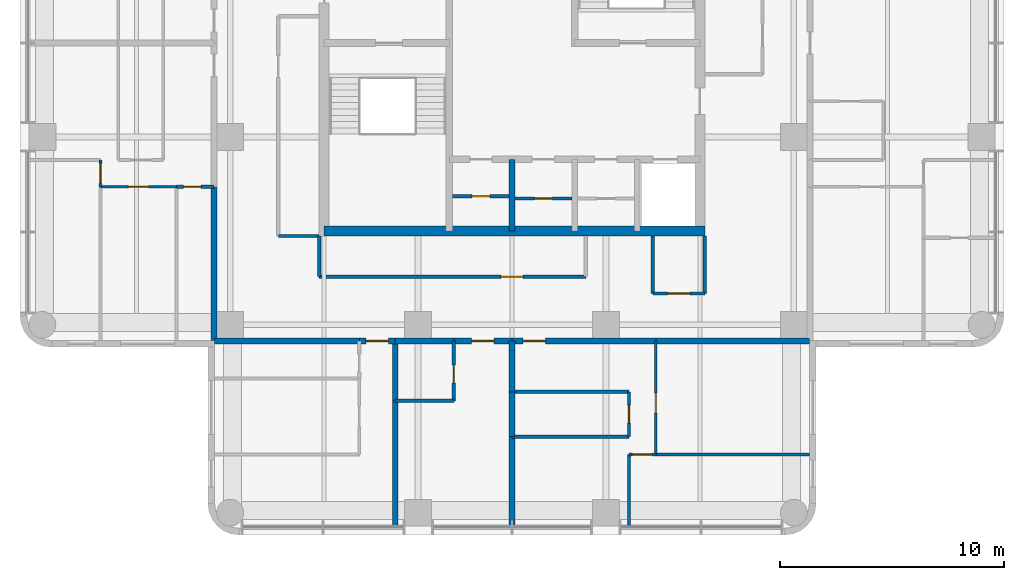
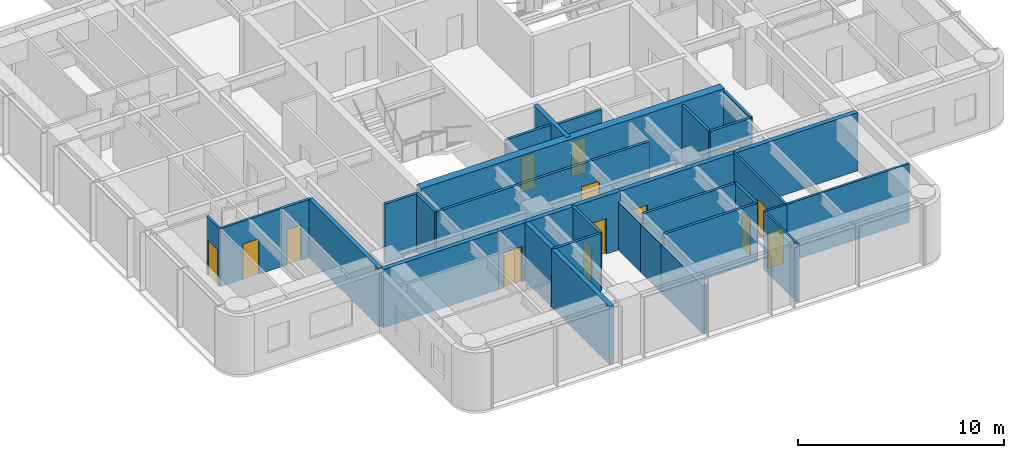
# One storey, part 4 of 10: 34 walls, 14 doors, 14 openings.
"""IFC4 building model written with IfcOpenShell, lengths in metres."""

from ifc_helpers import new_model, si_unit, direction, frame, frame_2d, origin, place, context, subcontext, project, spatial, rectangle, extrude, material, layer, layer_set, type_object, element, fill, save


model = new_model("IFC4")

# Units and contexts
model_context = context("Model", 3, precision=1e-05, world=origin(), true_north=direction((0.0, 1.0)))
body_context = subcontext(model_context, "Body", "Model", "MODEL_VIEW")
ifc_project = project(units=[si_unit("LENGTHUNIT", "METRE"), si_unit("AREAUNIT", "SQUARE_METRE"), si_unit("VOLUMEUNIT", "CUBIC_METRE"), si_unit("PLANEANGLEUNIT", "RADIAN"), si_unit("MASSUNIT", "GRAM", prefix="KILO")], contexts=[model_context])

# Site, building, storey
site_placement = place(None, origin())
site = spatial("IfcSite", under=ifc_project, at=site_placement, CompositionType="ELEMENT")
building_placement = place(site_placement, origin())
building = spatial("IfcBuilding", under=site, at=building_placement, Name="Torre Alcanfor", CompositionType="ELEMENT")
storey_placement = place(building_placement, frame((0.0, 0.0, 264.89990234375)))
storey = spatial("IfcBuildingStorey", under=building, at=storey_placement, Name="L69", CompositionType="ELEMENT", Elevation=264.89990234375)

# Wall, opening, door
ifc_material_1 = material(Name="Concrete block masonry, hollow blocks NMX-C-404 9 MPa", Category="masonry")
ifc_layer_1 = layer(ifc_material_1, 0.25)
ifc_layer_set_1 = layer_set([ifc_layer_1], Name="Apartment entrance wall 250 EI 60")
wall_type_1 = type_object("IfcWallType", Name="Apartment entrance wall 250 EI 60", PredefinedType="PARTITIONING", material=ifc_layer_set_1)
wall_1_placement = place(storey_placement, frame((35.8291015625, 16.074951171875, 0.0), z_axis=(0.0, 0.0, 1.0), x_axis=(-1.0, 0.0, 0.0)))
wall_1 = element("IfcWall", 1, at=wall_1_placement, inside=storey, type_object=wall_type_1, Name="Partition L69-CORR / L69-S1-LIVING", PredefinedType="PARTITIONING", context=body_context, shape_type="SweptSolid", body=[
    extrude(rectangle(XDim=6.42919921875, YDim=0.25, at=frame_2d((3.214599609375, 0.0))), origin(), (0.0, 0.0, 1.0), 3.4501953125),
])
opening_1_placement = place(wall_1_placement, frame((4.928955078125, 0.0, 0.0)))
opening_1 = element("IfcOpeningElement", 2, at=opening_1_placement, cuts=wall_1, Name="Opening D-A1", PredefinedType="OPENING", context=body_context, shape_type="SweptSolid", body=[
    extrude(rectangle(XDim=1.0, YDim=2.10009765625, at=frame_2d((0.5, 1.050048828125))), frame((0.0, 0.135009765625, 0.0), z_axis=(0.0, -1.0, 0.0), x_axis=(1.0, 0.0, 0.0)), (0.0, 0.0, 1.0), 0.27001953125),
])
ifc_material_2 = material(Name="Galvanised steel sheet ASTM A653", Category="steel")
door_type_1 = type_object("IfcDoorType", Name="Apartment entrance door FD60 1000x2100", OperationType="SINGLE_SWING_LEFT", PredefinedType="DOOR", material=ifc_material_2)
door_1_placement = place(opening_1_placement, origin())
door_1 = element("IfcDoor", 3, at=door_1_placement, inside=storey, type_object=door_type_1, Name="Apartment entrance L69-S1", OperationType="SINGLE_SWING_RIGHT", OverallHeight=2.10009765625, OverallWidth=1.0, PredefinedType="DOOR", context=body_context, shape_type="SweptSolid", body=[
    extrude(rectangle(XDim=1.0, YDim=2.10009765625, at=frame_2d((0.5, 1.050048828125))), frame((0.0, 0.02490234375, 0.0), z_axis=(0.0, -1.0, 0.0), x_axis=(1.0, 0.0, 0.0)), (0.0, 0.0, 1.0), 0.050048828125),
])
fill(opening_1, door_1)

# Wall
wall_2_placement = place(storey_placement, frame((42.699951171875, 16.074951171875, 0.0), z_axis=(0.0, 0.0, 1.0), x_axis=(-1.0, 0.0, 0.0)))
element("IfcWall", 4, at=wall_2_placement, inside=storey, type_object=wall_type_1, Name="Partition L69-CORR / L69-S1-BED2", PredefinedType="PARTITIONING", context=body_context, shape_type="SweptSolid", body=[
    extrude(rectangle(XDim=6.870849609375, YDim=0.25, at=frame_2d((3.435546875, 0.0))), origin(), (0.0, 0.0, 1.0), 3.4501953125),
])

# Wall, opening, door
wall_3_placement = place(storey_placement, frame((29.39990234375, 16.074951171875, 0.0), z_axis=(0.0, 0.0, 1.0), x_axis=(-1.0, 0.0, 0.0)))
wall_3 = element("IfcWall", 5, at=wall_3_placement, inside=storey, type_object=wall_type_1, Name="Partition L69-CORR / L69-S2A-STUDIO", PredefinedType="PARTITIONING", context=body_context, shape_type="SweptSolid", body=[
    extrude(rectangle(XDim=2.599853515625, YDim=0.25, at=frame_2d((1.2998046875, 0.0))), origin(), (0.0, 0.0, 1.0), 3.4501953125),
])
opening_2_placement = place(wall_3_placement, frame((0.800048828125, 0.0, 0.0)))
opening_2 = element("IfcOpeningElement", 6, at=opening_2_placement, cuts=wall_3, Name="Opening D-A1", PredefinedType="OPENING", context=body_context, shape_type="SweptSolid", body=[
    extrude(rectangle(XDim=1.0, YDim=2.10009765625, at=frame_2d((0.5, 1.050048828125))), frame((0.0, 0.135009765625, 0.0), z_axis=(0.0, -1.0, 0.0), x_axis=(1.0, 0.0, 0.0)), (0.0, 0.0, 1.0), 0.27001953125),
])
door_2_placement = place(opening_2_placement, origin())
door_2 = element("IfcDoor", 7, at=door_2_placement, inside=storey, type_object=door_type_1, Name="Apartment entrance L69-S2A", OperationType="SINGLE_SWING_LEFT", OverallHeight=2.10009765625, OverallWidth=1.0, PredefinedType="DOOR", context=body_context, shape_type="SweptSolid", body=[
    extrude(rectangle(XDim=1.0, YDim=2.10009765625, at=frame_2d((0.5, 1.050048828125))), frame((0.0, 0.02490234375, 0.0), z_axis=(0.0, -1.0, 0.0), x_axis=(1.0, 0.0, 0.0)), (0.0, 0.0, 1.0), 0.050048828125),
])
fill(opening_2, door_2)

# Wall
wall_4_placement = place(storey_placement, frame((26.800048828125, 16.074951171875, 0.0), z_axis=(0.0, 0.0, 1.0), x_axis=(-1.0, 0.0, 0.0)))
element("IfcWall", 8, at=wall_4_placement, inside=storey, type_object=wall_type_1, Name="Partition L69-CORR / L69-S2A-BATH", PredefinedType="PARTITIONING", context=body_context, shape_type="SweptSolid", body=[
    extrude(rectangle(XDim=2.629150390625, YDim=0.25, at=frame_2d((1.314453125, 0.0))), origin(), (0.0, 0.0, 1.0), 3.4501953125),
])

# Wall, opening, door
wall_5_placement = place(storey_placement, frame((24.1708984375, 16.074951171875, 0.0), z_axis=(0.0, 0.0, 1.0), x_axis=(-1.0, 0.0, 0.0)))
wall_5 = element("IfcWall", 9, at=wall_5_placement, inside=storey, type_object=wall_type_1, Name="Partition L69-CORR / L69-S2B-LIVING", PredefinedType="PARTITIONING", context=body_context, shape_type="SweptSolid", body=[
    extrude(rectangle(XDim=1.599853515625, YDim=0.25, at=frame_2d((0.7998046875, 0.0))), origin(), (0.0, 0.0, 1.0), 3.4501953125),
])
opening_3_placement = place(wall_5_placement, frame((0.300048828125, 0.0, 0.0)))
opening_3 = element("IfcOpeningElement", 10, at=opening_3_placement, cuts=wall_5, Name="Opening D-A1", PredefinedType="OPENING", context=body_context, shape_type="SweptSolid", body=[
    extrude(rectangle(XDim=1.0, YDim=2.10009765625, at=frame_2d((0.5, 1.050048828125))), frame((0.0, 0.135009765625, 0.0), z_axis=(0.0, -1.0, 0.0), x_axis=(1.0, 0.0, 0.0)), (0.0, 0.0, 1.0), 0.27001953125),
])
door_3_placement = place(opening_3_placement, origin())
door_3 = element("IfcDoor", 11, at=door_3_placement, inside=storey, type_object=door_type_1, Name="Apartment entrance L69-S2B", OperationType="SINGLE_SWING_LEFT", OverallHeight=2.10009765625, OverallWidth=1.0, PredefinedType="DOOR", context=body_context, shape_type="SweptSolid", body=[
    extrude(rectangle(XDim=1.0, YDim=2.10009765625, at=frame_2d((0.5, 1.050048828125))), frame((0.0, 0.02490234375, 0.0), z_axis=(0.0, -1.0, 0.0), x_axis=(1.0, 0.0, 0.0)), (0.0, 0.0, 1.0), 0.050048828125),
])
fill(opening_3, door_3)

# Walls
wall_6_placement = place(storey_placement, frame((22.571044921875, 16.074951171875, 0.0), z_axis=(0.0, 0.0, 1.0), x_axis=(-1.0, 0.0, 0.0)))
element("IfcWall", 12, at=wall_6_placement, inside=storey, type_object=wall_type_1, Name="Partition L69-CORR / L69-S2B-BATH", PredefinedType="PARTITIONING", context=body_context, shape_type="SweptSolid", body=[
    extrude(rectangle(XDim=6.470947265625, YDim=0.25, at=frame_2d((3.2353515625, 0.0))), origin(), (0.0, 0.0, 1.0), 3.4501953125),
])
wall_7_placement = place(storey_placement, frame((16.074951171875, 16.10009765625, 0.0), z_axis=(0.0, 0.0, 1.0), x_axis=(0.0, 1.0, 0.0)))
element("IfcWall", 13, at=wall_7_placement, inside=storey, type_object=wall_type_1, Name="Partition L69-CORR / L69-W1-BATH", PredefinedType="PARTITIONING", context=body_context, shape_type="SweptSolid", body=[
    extrude(rectangle(XDim=6.870849609375, YDim=0.25, at=frame_2d((3.435546875, 0.0))), origin(), (0.0, 0.0, 1.0), 3.4501953125),
])

# Wall, opening, door
ifc_material_3 = material(Name="Gypsum board on steel studs", Category="steel")
ifc_layer_2 = layer(ifc_material_3, 0.1201171875)
ifc_layer_set_2 = layer_set([ifc_layer_2], Name="Apartment partition 120")
wall_type_2 = type_object("IfcWallType", Name="Apartment partition 120", PredefinedType="PARTITIONING", material=ifc_layer_set_2)
wall_8_placement = place(storey_placement, frame((35.8291015625, 16.074951171875, 0.0), z_axis=(0.0, 0.0, 1.0), x_axis=(0.0, -1.0, 0.0)))
wall_8 = element("IfcWall", 14, at=wall_8_placement, inside=storey, type_object=wall_type_2, Name="Partition L69-S1-LIVING / L69-S1-BED2", PredefinedType="PARTITIONING", context=body_context, shape_type="SweptSolid", body=[
    extrude(rectangle(XDim=5.074951171875, YDim=0.1201171875, at=frame_2d((2.53759765625, 0.0))), origin(), (0.0, 0.0, 1.0), 3.4501953125),
])
opening_4_placement = place(wall_8_placement, frame((2.324951171875, 0.0, 0.0)))
opening_4 = element("IfcOpeningElement", 15, at=opening_4_placement, cuts=wall_8, Name="Opening D-R1", PredefinedType="OPENING", context=body_context, shape_type="SweptSolid", body=[
    extrude(rectangle(XDim=0.89990234375, YDim=2.10009765625, at=frame_2d((0.449951171875, 1.050048828125))), frame((0.0, 0.070068359375, 0.0), z_axis=(0.0, -1.0, 0.0), x_axis=(1.0, 0.0, 0.0)), (0.0, 0.0, 1.0), 0.14013671875),
])
ifc_material_4 = material(Name="Timber", Category="wood")
door_type_2 = type_object("IfcDoorType", Name="Internal door 900x2100", OperationType="SINGLE_SWING_LEFT", PredefinedType="DOOR", material=ifc_material_4)
door_4_placement = place(opening_4_placement, origin())
door_4 = element("IfcDoor", 16, at=door_4_placement, inside=storey, type_object=door_type_2, Name="Door L69-S1 bed2", OperationType="SINGLE_SWING_RIGHT", OverallHeight=2.10009765625, OverallWidth=0.89990234375, PredefinedType="DOOR", context=body_context, shape_type="SweptSolid", body=[
    extrude(rectangle(XDim=0.89990234375, YDim=2.10009765625, at=frame_2d((0.449951171875, 1.050048828125))), frame((0.0, 0.02490234375, 0.0), z_axis=(0.0, -1.0, 0.0), x_axis=(1.0, 0.0, 0.0)), (0.0, 0.0, 1.0), 0.050048828125),
])
fill(opening_4, door_4)

wall_9_placement = place(storey_placement, frame((35.8291015625, 11.0, 0.0), z_axis=(0.0, 0.0, 1.0), x_axis=(-1.0, 0.0, 0.0)))
wall_9 = element("IfcWall", 17, at=wall_9_placement, inside=storey, type_object=wall_type_2, Name="Partition L69-S1-LIVING / L69-S1-MASTER", PredefinedType="PARTITIONING", context=body_context, shape_type="SweptSolid", body=[
    extrude(rectangle(XDim=1.2001953125, YDim=0.1201171875, at=frame_2d((0.60009765625, 0.0))), origin(), (0.0, 0.0, 1.0), 3.4501953125),
])
opening_5_placement = place(wall_9_placement, frame((0.14892578125, 0.0, 0.0)))
opening_5 = element("IfcOpeningElement", 18, at=opening_5_placement, cuts=wall_9, Name="Opening D-R1", PredefinedType="OPENING", context=body_context, shape_type="SweptSolid", body=[
    extrude(rectangle(XDim=0.89990234375, YDim=2.10009765625, at=frame_2d((0.449951171875, 1.050048828125))), frame((0.0, 0.070068359375, 0.0), z_axis=(0.0, -1.0, 0.0), x_axis=(1.0, 0.0, 0.0)), (0.0, 0.0, 1.0), 0.14013671875),
])
door_5_placement = place(opening_5_placement, origin())
door_5 = element("IfcDoor", 19, at=door_5_placement, inside=storey, type_object=door_type_2, Name="Door L69-S1 master", OperationType="SINGLE_SWING_RIGHT", OverallHeight=2.10009765625, OverallWidth=0.89990234375, PredefinedType="DOOR", context=body_context, shape_type="SweptSolid", body=[
    extrude(rectangle(XDim=0.89990234375, YDim=2.10009765625, at=frame_2d((0.449951171875, 1.050048828125))), frame((0.0, 0.02490234375, 0.0), z_axis=(0.0, -1.0, 0.0), x_axis=(1.0, 0.0, 0.0)), (0.0, 0.0, 1.0), 0.050048828125),
])
fill(opening_5, door_5)

# Walls
wall_10_placement = place(storey_placement, frame((34.62890625, 11.0, 0.0), z_axis=(0.0, 0.0, 1.0), x_axis=(0.0, -1.0, 0.0)))
element("IfcWall", 20, at=wall_10_placement, inside=storey, type_object=wall_type_2, Name="Partition L69-S1-LIVING / L69-S1-MASTER", PredefinedType="PARTITIONING", context=body_context, shape_type="SweptSolid", body=[
    extrude(rectangle(XDim=3.25, YDim=0.1201171875, at=frame_2d((1.625, 0.0))), origin(), (0.0, 0.0, 1.0), 3.4501953125),
])
wall_11_placement = place(storey_placement, frame((35.8291015625, 11.0, 0.0), z_axis=(0.0, 0.0, 1.0), x_axis=(1.0, 0.0, 0.0)))
element("IfcWall", 21, at=wall_11_placement, inside=storey, type_object=wall_type_2, Name="Partition L69-S1-BED2 / L69-S1-MASTER", PredefinedType="PARTITIONING", context=body_context, shape_type="SweptSolid", body=[
    extrude(rectangle(XDim=6.870849609375, YDim=0.1201171875, at=frame_2d((3.435546875, 0.0))), origin(), (0.0, 0.0, 1.0), 3.4501953125),
])

# Wall, opening, door
wall_12_placement = place(storey_placement, frame((14.39990234375, 22.970947265625, 0.0), z_axis=(0.0, 0.0, 1.0), x_axis=(-1.0, 0.0, 0.0)))
wall_12 = element("IfcWall", 22, at=wall_12_placement, inside=storey, type_object=wall_type_2, Name="Partition L69-W1-LIVING / L69-W1-STUDY", PredefinedType="PARTITIONING", context=body_context, shape_type="SweptSolid", body=[
    extrude(rectangle(XDim=3.39990234375, YDim=0.1201171875, at=frame_2d((1.699951171875, 0.0))), origin(), (0.0, 0.0, 1.0), 3.4501953125),
])
opening_6_placement = place(wall_12_placement, frame((1.25, 0.0, 0.0)))
opening_6 = element("IfcOpeningElement", 23, at=opening_6_placement, cuts=wall_12, Name="Opening D-R1", PredefinedType="OPENING", context=body_context, shape_type="SweptSolid", body=[
    extrude(rectangle(XDim=0.89990234375, YDim=2.10009765625, at=frame_2d((0.449951171875, 1.050048828125))), frame((0.0, 0.070068359375, 0.0), z_axis=(0.0, -1.0, 0.0), x_axis=(1.0, 0.0, 0.0)), (0.0, 0.0, 1.0), 0.14013671875),
])
door_6_placement = place(opening_6_placement, origin())
door_6 = element("IfcDoor", 24, at=door_6_placement, inside=storey, type_object=door_type_2, Name="Door L69-W1 study", OperationType="SINGLE_SWING_LEFT", OverallHeight=2.10009765625, OverallWidth=0.89990234375, PredefinedType="DOOR", context=body_context, shape_type="SweptSolid", body=[
    extrude(rectangle(XDim=0.89990234375, YDim=2.10009765625, at=frame_2d((0.449951171875, 1.050048828125))), frame((0.0, 0.02490234375, 0.0), z_axis=(0.0, -1.0, 0.0), x_axis=(1.0, 0.0, 0.0)), (0.0, 0.0, 1.0), 0.050048828125),
])
fill(opening_6, door_6)

wall_13_placement = place(storey_placement, frame((11.0, 22.970947265625, 0.0), z_axis=(0.0, 0.0, 1.0), x_axis=(0.0, 1.0, 0.0)))
wall_13 = element("IfcWall", 25, at=wall_13_placement, inside=storey, type_object=wall_type_2, Name="Partition L69-W1-LIVING / L69-W1-MASTER", PredefinedType="PARTITIONING", context=body_context, shape_type="SweptSolid", body=[
    extrude(rectangle(XDim=1.199951171875, YDim=0.1201171875, at=frame_2d((0.60009765625, 0.0))), origin(), (0.0, 0.0, 1.0), 3.4501953125),
])
opening_7_placement = place(wall_13_placement, frame((0.14892578125, 0.0, 0.0)))
opening_7 = element("IfcOpeningElement", 26, at=opening_7_placement, cuts=wall_13, Name="Opening D-R1", PredefinedType="OPENING", context=body_context, shape_type="SweptSolid", body=[
    extrude(rectangle(XDim=0.89990234375, YDim=2.10009765625, at=frame_2d((0.449951171875, 1.050048828125))), frame((0.0, 0.070068359375, 0.0), z_axis=(0.0, -1.0, 0.0), x_axis=(1.0, 0.0, 0.0)), (0.0, 0.0, 1.0), 0.14013671875),
])
door_7_placement = place(opening_7_placement, origin())
door_7 = element("IfcDoor", 27, at=door_7_placement, inside=storey, type_object=door_type_2, Name="Door L69-W1 master", OperationType="SINGLE_SWING_RIGHT", OverallHeight=2.10009765625, OverallWidth=0.89990234375, PredefinedType="DOOR", context=body_context, shape_type="SweptSolid", body=[
    extrude(rectangle(XDim=0.89990234375, YDim=2.10009765625, at=frame_2d((0.449951171875, 1.050048828125))), frame((0.0, 0.02490234375, 0.0), z_axis=(0.0, -1.0, 0.0), x_axis=(1.0, 0.0, 0.0)), (0.0, 0.0, 1.0), 0.050048828125),
])
fill(opening_7, door_7)

# Walls
ifc_material_5 = material(Name="Concrete f'c 70 MPa", Category="concrete")
ifc_layer_3 = layer(ifc_material_5, 0.25)
ifc_layer_set_3 = layer_set([ifc_layer_3], Name="Core shaft wall 250 f'c70")
wall_type_3 = type_object("IfcWallType", Name="Core shaft wall 250 f'c70", PredefinedType="SHEAR", material=ifc_layer_set_3)
wall_14_placement = place(storey_placement, frame((29.39990234375, 21.0, 0.0), z_axis=(0.0, 0.0, 1.0), x_axis=(0.0, 1.0, 0.0)))
element("IfcWall", 28, at=wall_14_placement, inside=storey, type_object=wall_type_3, Name="Core wall X294S L69", PredefinedType="SHEAR", context=body_context, shape_type="SweptSolid", body=[
    extrude(rectangle(XDim=3.199951171875, YDim=0.25, at=frame_2d((1.60009765625, 0.0))), origin(), (0.0, 0.0, 1.0), 3.60009765625),
])
ifc_material_6 = material(Name="Concrete f'c 70 MPa", Category="concrete")
ifc_layer_4 = layer(ifc_material_6, 0.449951171875)
ifc_layer_set_4 = layer_set([ifc_layer_4], Name="Core wall 450 f'c70")
wall_type_4 = type_object("IfcWallType", Name="Core wall 450 f'c70", PredefinedType="SHEAR", material=ifc_layer_set_4)
wall_15_placement = place(storey_placement, frame((21.0, 21.0, 0.0), z_axis=(0.0, 0.0, 1.0), x_axis=(1.0, 0.0, 0.0)))
element("IfcWall", 29, at=wall_15_placement, inside=storey, type_object=wall_type_4, Name="Core wall OUT-S L69", PredefinedType="SHEAR", context=body_context, shape_type="SweptSolid", body=[
    extrude(rectangle(XDim=17.02490234375, YDim=0.449951171875, at=frame_2d((8.512451171875, 0.0))), origin(), (0.0, 0.0, 1.0), 3.60009765625),
])
ifc_material_7 = material(Name="Concrete block masonry, hollow blocks NMX-C-404 9 MPa", Category="masonry")
ifc_layer_5 = layer(ifc_material_7, 0.25)
ifc_layer_set_5 = layer_set([ifc_layer_5], Name="Party wall 250 EI 60")
wall_type_5 = type_object("IfcWallType", Name="Party wall 250 EI 60", PredefinedType="PARTITIONING", material=ifc_layer_set_5)
wall_16_placement = place(storey_placement, frame((29.39990234375, 13.800048828125, 0.0), z_axis=(0.0, 0.0, 1.0), x_axis=(0.0, -1.0, 0.0)))
element("IfcWall", 30, at=wall_16_placement, inside=storey, type_object=wall_type_5, Name="Partition L69-S1-BATH / L69-S2A-STUDIO", PredefinedType="PARTITIONING", context=body_context, shape_type="SweptSolid", body=[
    extrude(rectangle(XDim=2.0, YDim=0.25, at=frame_2d((1.0, 0.0))), origin(), (0.0, 0.0, 1.0), 2.84814453125),
])
wall_17_placement = place(storey_placement, frame((29.39990234375, 7.75, 0.0), z_axis=(0.0, 0.0, 1.0), x_axis=(0.0, 1.0, 0.0)))
element("IfcWall", 31, at=wall_17_placement, inside=storey, type_object=wall_type_5, Name="Partition L69-S1-LIVING / L69-S2A-STUDIO", PredefinedType="PARTITIONING", context=body_context, shape_type="SweptSolid", body=[
    extrude(rectangle(XDim=4.050048828125, YDim=0.25, at=frame_2d((2.02490234375, 0.0))), origin(), (0.0, 0.0, 1.0), 2.84814453125),
])
wall_18_placement = place(storey_placement, frame((29.39990234375, 13.800048828125, 0.0), z_axis=(0.0, 0.0, 1.0), x_axis=(0.0, 1.0, 0.0)))
element("IfcWall", 32, at=wall_18_placement, inside=storey, type_object=wall_type_5, Name="Partition L69-S1-LIVING / L69-S2A-STUDIO", PredefinedType="PARTITIONING", context=body_context, shape_type="SweptSolid", body=[
    extrude(rectangle(XDim=2.27490234375, YDim=0.25, at=frame_2d((1.137451171875, 0.0))), origin(), (0.0, 0.0, 1.0), 2.84814453125),
])
wall_19_placement = place(storey_placement, frame((24.1708984375, 7.75, 0.0), z_axis=(0.0, 0.0, 1.0), x_axis=(0.0, 1.0, 0.0)))
element("IfcWall", 33, at=wall_19_placement, inside=storey, type_object=wall_type_5, Name="Partition L69-S2A-STUDIO / L69-S2B-LIVING", PredefinedType="PARTITIONING", context=body_context, shape_type="SweptSolid", body=[
    extrude(rectangle(XDim=5.64990234375, YDim=0.25, at=frame_2d((2.824951171875, 0.0))), origin(), (0.0, 0.0, 1.0), 3.4501953125),
])
wall_20_placement = place(storey_placement, frame((24.1708984375, 13.39990234375, 0.0), z_axis=(0.0, 0.0, 1.0), x_axis=(0.0, 1.0, 0.0)))
element("IfcWall", 34, at=wall_20_placement, inside=storey, type_object=wall_type_5, Name="Partition L69-S2A-BATH / L69-S2B-LIVING", PredefinedType="PARTITIONING", context=body_context, shape_type="SweptSolid", body=[
    extrude(rectangle(XDim=2.675048828125, YDim=0.25, at=frame_2d((1.33740234375, 0.0))), origin(), (0.0, 0.0, 1.0), 3.4501953125),
])
ifc_material_8 = material(Name="Concrete block masonry, hollow blocks NMX-C-404 9 MPa", Category="masonry")
ifc_layer_6 = layer(ifc_material_8, 0.14990234375)
ifc_layer_set_6 = layer_set([ifc_layer_6], Name="Residents' room partition 150")
wall_type_6 = type_object("IfcWallType", Name="Residents' room partition 150", PredefinedType="PARTITIONING", material=ifc_layer_set_6)
wall_21_placement = place(storey_placement, frame((20.77490234375, 20.77490234375, 0.0), z_axis=(0.0, 0.0, 1.0), x_axis=(0.0, -1.0, 0.0)))
element("IfcWall", 35, at=wall_21_placement, inside=storey, type_object=wall_type_6, Name="Partition L69-CORR / L69-G05", PredefinedType="PARTITIONING", context=body_context, shape_type="SweptSolid", body=[
    extrude(rectangle(XDim=1.824951171875, YDim=0.14990234375, at=frame_2d((0.91259765625, 0.0))), origin(), (0.0, 0.0, 1.0), 3.4501953125),
])

# Wall, opening, door
wall_22_placement = place(storey_placement, frame((20.77490234375, 18.949951171875, 0.0), z_axis=(0.0, 0.0, 1.0), x_axis=(1.0, 0.0, 0.0)))
wall_22 = element("IfcWall", 36, at=wall_22_placement, inside=storey, type_object=wall_type_6, Name="Partition L69-CORR / L69-G05", PredefinedType="PARTITIONING", context=body_context, shape_type="SweptSolid", body=[
    extrude(rectangle(XDim=11.925048828125, YDim=0.14990234375, at=frame_2d((5.96240234375, 0.0))), origin(), (0.0, 0.0, 1.0), 3.4501953125),
])
opening_8_placement = place(wall_22_placement, frame((8.125, 0.0, 0.0)))
opening_8 = element("IfcOpeningElement", 37, at=opening_8_placement, cuts=wall_22, Name="Opening D-M1", PredefinedType="OPENING", context=body_context, shape_type="SweptSolid", body=[
    extrude(rectangle(XDim=1.0, YDim=2.10009765625, at=frame_2d((0.5, 1.050048828125))), frame((0.0, 0.0849609375, 0.0), z_axis=(0.0, -1.0, 0.0), x_axis=(1.0, 0.0, 0.0)), (0.0, 0.0, 1.0), 0.169921875),
])
ifc_material_9 = material(Name="Timber", Category="wood")
door_type_3 = type_object("IfcDoorType", Name="Residents' room door 1000x2100", OperationType="SINGLE_SWING_LEFT", PredefinedType="DOOR", material=ifc_material_9)
door_8_placement = place(opening_8_placement, origin())
door_8 = element("IfcDoor", 38, at=door_8_placement, inside=storey, type_object=door_type_3, Name="Door L69-G05 residents' lockers", OperationType="SINGLE_SWING_RIGHT", OverallHeight=2.10009765625, OverallWidth=1.0, PredefinedType="DOOR", context=body_context, shape_type="SweptSolid", body=[
    extrude(rectangle(XDim=1.0, YDim=2.10009765625, at=frame_2d((0.5, 1.050048828125))), frame((0.0, 0.02490234375, 0.0), z_axis=(0.0, -1.0, 0.0), x_axis=(1.0, 0.0, 0.0)), (0.0, 0.0, 1.0), 0.050048828125),
])
fill(opening_8, door_8)

# Wall
wall_23_placement = place(storey_placement, frame((35.699951171875, 20.77490234375, 0.0), z_axis=(0.0, 0.0, 1.0), x_axis=(0.0, -1.0, 0.0)))
element("IfcWall", 39, at=wall_23_placement, inside=storey, type_object=wall_type_6, Name="Partition L69-CORR / L69-G06", PredefinedType="PARTITIONING", context=body_context, shape_type="SweptSolid", body=[
    extrude(rectangle(XDim=2.574951171875, YDim=0.14990234375, at=frame_2d((1.28759765625, 0.0))), origin(), (0.0, 0.0, 1.0), 3.4501953125),
])

# Wall, opening, door
wall_24_placement = place(storey_placement, frame((35.699951171875, 18.199951171875, 0.0), z_axis=(0.0, 0.0, 1.0), x_axis=(1.0, 0.0, 0.0)))
wall_24 = element("IfcWall", 40, at=wall_24_placement, inside=storey, type_object=wall_type_6, Name="Partition L69-CORR / L69-G06", PredefinedType="PARTITIONING", context=body_context, shape_type="SweptSolid", body=[
    extrude(rectangle(XDim=2.324951171875, YDim=0.14990234375, at=frame_2d((1.16259765625, 0.0))), origin(), (0.0, 0.0, 1.0), 3.4501953125),
])
opening_9_placement = place(wall_24_placement, frame((0.66259765625, 0.0, 0.0)))
opening_9 = element("IfcOpeningElement", 41, at=opening_9_placement, cuts=wall_24, Name="Opening D-M1", PredefinedType="OPENING", context=body_context, shape_type="SweptSolid", body=[
    extrude(rectangle(XDim=1.0, YDim=2.10009765625, at=frame_2d((0.5, 1.050048828125))), frame((0.0, 0.0849609375, 0.0), z_axis=(0.0, -1.0, 0.0), x_axis=(1.0, 0.0, 0.0)), (0.0, 0.0, 1.0), 0.169921875),
])
door_9_placement = place(opening_9_placement, origin())
door_9 = element("IfcDoor", 42, at=door_9_placement, inside=storey, type_object=door_type_3, Name="Door L69-G06 parcel room", OperationType="SINGLE_SWING_LEFT", OverallHeight=2.10009765625, OverallWidth=1.0, PredefinedType="DOOR", context=body_context, shape_type="SweptSolid", body=[
    extrude(rectangle(XDim=1.0, YDim=2.10009765625, at=frame_2d((0.5, 1.050048828125))), frame((0.0, 0.02490234375, 0.0), z_axis=(0.0, -1.0, 0.0), x_axis=(1.0, 0.0, 0.0)), (0.0, 0.0, 1.0), 0.050048828125),
])
fill(opening_9, door_9)

# Walls
wall_25_placement = place(storey_placement, frame((38.02490234375, 18.199951171875, 0.0), z_axis=(0.0, 0.0, 1.0), x_axis=(0.0, 1.0, 0.0)))
element("IfcWall", 43, at=wall_25_placement, inside=storey, type_object=wall_type_6, Name="Partition L69-CORR / L69-G06", PredefinedType="PARTITIONING", context=body_context, shape_type="SweptSolid", body=[
    extrude(rectangle(XDim=2.574951171875, YDim=0.14990234375, at=frame_2d((1.28759765625, 0.0))), origin(), (0.0, 0.0, 1.0), 3.4501953125),
])
wall_26_placement = place(storey_placement, frame((18.949951171875, 20.77490234375, 0.0), z_axis=(0.0, 0.0, 1.0), x_axis=(1.0, 0.0, 0.0)))
element("IfcWall", 44, at=wall_26_placement, inside=storey, type_object=wall_type_6, Name="Partition L69-CORR / L69-G07", PredefinedType="PARTITIONING", context=body_context, shape_type="SweptSolid", body=[
    extrude(rectangle(XDim=1.824951171875, YDim=0.14990234375, at=frame_2d((0.91259765625, 0.0))), origin(), (0.0, 0.0, 1.0), 3.4501953125),
])

# Wall, opening, door
wall_27_placement = place(storey_placement, frame((26.75, 22.550048828125, 0.0), z_axis=(0.0, 0.0, 1.0), x_axis=(1.0, 0.0, 0.0)))
wall_27 = element("IfcWall", 45, at=wall_27_placement, inside=storey, type_object=wall_type_6, Name="Partition L69-PA1R / L69-PA1C", PredefinedType="PARTITIONING", context=body_context, shape_type="SweptSolid", body=[
    extrude(rectangle(XDim=2.52490234375, YDim=0.14990234375, at=frame_2d((1.262451171875, 0.0))), origin(), (0.0, 0.0, 1.0), 3.4501953125),
])
opening_10_placement = place(wall_27_placement, frame((0.862548828125, 0.0, 0.0)))
opening_10 = element("IfcOpeningElement", 46, at=opening_10_placement, cuts=wall_27, Name="Opening D-R2", PredefinedType="OPENING", context=body_context, shape_type="SweptSolid", body=[
    extrude(rectangle(XDim=0.800048828125, YDim=2.10009765625, at=frame_2d((0.39990234375, 1.050048828125))), frame((0.0, 0.0849609375, 0.0), z_axis=(0.0, -1.0, 0.0), x_axis=(1.0, 0.0, 0.0)), (0.0, 0.0, 1.0), 0.169921875),
])
ifc_material_10 = material(Name="Timber", Category="wood")
door_type_4 = type_object("IfcDoorType", Name="Bathroom door 800x2100", OperationType="SINGLE_SWING_LEFT", PredefinedType="DOOR", material=ifc_material_10)
door_10_placement = place(opening_10_placement, frame((0.800048828125, 0.0, 0.0), z_axis=(0.0, 0.0, 1.0), x_axis=(-1.0, 0.0, 0.0)))
door_10 = element("IfcDoor", 47, at=door_10_placement, inside=storey, type_object=door_type_4, Name="Cleaners' cupboard door L69", OperationType="SINGLE_SWING_RIGHT", OverallHeight=2.10009765625, OverallWidth=0.800048828125, PredefinedType="DOOR", context=body_context, shape_type="SweptSolid", body=[
    extrude(rectangle(XDim=0.800048828125, YDim=2.10009765625, at=frame_2d((0.400146484375, 1.050048828125))), frame((0.0, 0.025146484375, 0.0), z_axis=(0.0, -1.0, 0.0), x_axis=(1.0, 0.0, 0.0)), (0.0, 0.0, 1.0), 0.050048828125),
])
fill(opening_10, door_10)

wall_28_placement = place(storey_placement, frame((29.52490234375, 22.449951171875, 0.0), z_axis=(0.0, 0.0, 1.0), x_axis=(1.0, 0.0, 0.0)))
wall_28 = element("IfcWall", 48, at=wall_28_placement, inside=storey, type_object=wall_type_6, Name="Partition L69-PA2R / L69-PA2C", PredefinedType="PARTITIONING", context=body_context, shape_type="SweptSolid", body=[
    extrude(rectangle(XDim=2.550048828125, YDim=0.14990234375, at=frame_2d((1.27490234375, 0.0))), origin(), (0.0, 0.0, 1.0), 3.4501953125),
])
opening_11_placement = place(wall_28_placement, frame((0.875, 0.0, 0.0)))
opening_11 = element("IfcOpeningElement", 49, at=opening_11_placement, cuts=wall_28, Name="Opening D-R2", PredefinedType="OPENING", context=body_context, shape_type="SweptSolid", body=[
    extrude(rectangle(XDim=0.800048828125, YDim=2.10009765625, at=frame_2d((0.39990234375, 1.050048828125))), frame((0.0, 0.0849609375, 0.0), z_axis=(0.0, -1.0, 0.0), x_axis=(1.0, 0.0, 0.0)), (0.0, 0.0, 1.0), 0.169921875),
])
door_11_placement = place(opening_11_placement, frame((0.800048828125, 0.0, 0.0), z_axis=(0.0, 0.0, 1.0), x_axis=(-1.0, 0.0, 0.0)))
door_11 = element("IfcDoor", 50, at=door_11_placement, inside=storey, type_object=door_type_4, Name="Housekeeping cupboard door L69", OperationType="SINGLE_SWING_RIGHT", OverallHeight=2.10009765625, OverallWidth=0.800048828125, PredefinedType="DOOR", context=body_context, shape_type="SweptSolid", body=[
    extrude(rectangle(XDim=0.800048828125, YDim=2.10009765625, at=frame_2d((0.400146484375, 1.050048828125))), frame((0.0, 0.025146484375, 0.0), z_axis=(0.0, -1.0, 0.0), x_axis=(1.0, 0.0, 0.0)), (0.0, 0.0, 1.0), 0.050048828125),
])
fill(opening_11, door_11)

# Wall
ifc_material_11 = material(Name="Cement board on steel studs", Category="steel")
ifc_layer_7 = layer(ifc_material_11, 0.14990234375)
ifc_layer_set_7 = layer_set([ifc_layer_7], Name="Wet area partition 150")
wall_type_7 = type_object("IfcWallType", Name="Wet area partition 150", PredefinedType="PARTITIONING", material=ifc_layer_set_7)
wall_29_placement = place(storey_placement, frame((29.39990234375, 11.800048828125, 0.0), z_axis=(0.0, 0.0, 1.0), x_axis=(1.0, 0.0, 0.0)))
element("IfcWall", 51, at=wall_29_placement, inside=storey, type_object=wall_type_7, Name="Partition L69-S1-BATH / L69-S1-LIVING", PredefinedType="PARTITIONING", context=body_context, shape_type="SweptSolid", body=[
    extrude(rectangle(XDim=5.22900390625, YDim=0.14990234375, at=frame_2d((2.614501953125, 0.0))), origin(), (0.0, 0.0, 1.0), 3.4501953125),
])

# Wall, opening, door
wall_30_placement = place(storey_placement, frame((34.62890625, 11.800048828125, 0.0), z_axis=(0.0, 0.0, 1.0), x_axis=(0.0, 1.0, 0.0)))
wall_30 = element("IfcWall", 52, at=wall_30_placement, inside=storey, type_object=wall_type_7, Name="Partition L69-S1-BATH / L69-S1-LIVING", PredefinedType="PARTITIONING", context=body_context, shape_type="SweptSolid", body=[
    extrude(rectangle(XDim=2.0, YDim=0.14990234375, at=frame_2d((1.0, 0.0))), origin(), (0.0, 0.0, 1.0), 3.4501953125),
])
opening_12_placement = place(wall_30_placement, frame((0.60009765625, 0.0, 0.0)))
opening_12 = element("IfcOpeningElement", 53, at=opening_12_placement, cuts=wall_30, Name="Opening D-R2", PredefinedType="OPENING", context=body_context, shape_type="SweptSolid", body=[
    extrude(rectangle(XDim=0.800048828125, YDim=2.10009765625, at=frame_2d((0.39990234375, 1.050048828125))), frame((0.0, 0.0849609375, 0.0), z_axis=(0.0, -1.0, 0.0), x_axis=(1.0, 0.0, 0.0)), (0.0, 0.0, 1.0), 0.169921875),
])
door_12_placement = place(opening_12_placement, origin())
door_12 = element("IfcDoor", 54, at=door_12_placement, inside=storey, type_object=door_type_4, Name="Door L69-S1 bath", OperationType="SINGLE_SWING_LEFT", OverallHeight=2.10009765625, OverallWidth=0.800048828125, PredefinedType="DOOR", context=body_context, shape_type="SweptSolid", body=[
    extrude(rectangle(XDim=0.800048828125, YDim=2.10009765625, at=frame_2d((0.39990234375, 1.050048828125))), frame((0.0, 0.02490234375, 0.0), z_axis=(0.0, -1.0, 0.0), x_axis=(1.0, 0.0, 0.0)), (0.0, 0.0, 1.0), 0.050048828125),
])
fill(opening_12, door_12)

# Walls
wall_31_placement = place(storey_placement, frame((34.62890625, 13.800048828125, 0.0), z_axis=(0.0, 0.0, 1.0), x_axis=(-1.0, 0.0, 0.0)))
element("IfcWall", 55, at=wall_31_placement, inside=storey, type_object=wall_type_7, Name="Partition L69-S1-BATH / L69-S1-LIVING", PredefinedType="PARTITIONING", context=body_context, shape_type="SweptSolid", body=[
    extrude(rectangle(XDim=5.22900390625, YDim=0.14990234375, at=frame_2d((2.614501953125, 0.0))), origin(), (0.0, 0.0, 1.0), 3.4501953125),
])
wall_32_placement = place(storey_placement, frame((24.1708984375, 13.39990234375, 0.0), z_axis=(0.0, 0.0, 1.0), x_axis=(1.0, 0.0, 0.0)))
element("IfcWall", 56, at=wall_32_placement, inside=storey, type_object=wall_type_7, Name="Partition L69-S2A-STUDIO / L69-S2A-BATH", PredefinedType="PARTITIONING", context=body_context, shape_type="SweptSolid", body=[
    extrude(rectangle(XDim=2.629150390625, YDim=0.14990234375, at=frame_2d((1.314453125, 0.0))), origin(), (0.0, 0.0, 1.0), 3.4501953125),
])

# Wall, opening, door
wall_33_placement = place(storey_placement, frame((26.800048828125, 13.39990234375, 0.0), z_axis=(0.0, 0.0, 1.0), x_axis=(0.0, 1.0, 0.0)))
wall_33 = element("IfcWall", 57, at=wall_33_placement, inside=storey, type_object=wall_type_7, Name="Partition L69-S2A-STUDIO / L69-S2A-BATH", PredefinedType="PARTITIONING", context=body_context, shape_type="SweptSolid", body=[
    extrude(rectangle(XDim=2.675048828125, YDim=0.14990234375, at=frame_2d((1.33740234375, 0.0))), origin(), (0.0, 0.0, 1.0), 3.4501953125),
])
opening_13_placement = place(wall_33_placement, frame((0.800048828125, 0.0, 0.0)))
opening_13 = element("IfcOpeningElement", 58, at=opening_13_placement, cuts=wall_33, Name="Opening D-R2", PredefinedType="OPENING", context=body_context, shape_type="SweptSolid", body=[
    extrude(rectangle(XDim=0.800048828125, YDim=2.10009765625, at=frame_2d((0.39990234375, 1.050048828125))), frame((0.0, 0.0849609375, 0.0), z_axis=(0.0, -1.0, 0.0), x_axis=(1.0, 0.0, 0.0)), (0.0, 0.0, 1.0), 0.169921875),
])
door_13_placement = place(opening_13_placement, origin())
door_13 = element("IfcDoor", 59, at=door_13_placement, inside=storey, type_object=door_type_4, Name="Door L69-S2A bath", OperationType="SINGLE_SWING_LEFT", OverallHeight=2.10009765625, OverallWidth=0.800048828125, PredefinedType="DOOR", context=body_context, shape_type="SweptSolid", body=[
    extrude(rectangle(XDim=0.800048828125, YDim=2.10009765625, at=frame_2d((0.39990234375, 1.050048828125))), frame((0.0, 0.02490234375, 0.0), z_axis=(0.0, -1.0, 0.0), x_axis=(1.0, 0.0, 0.0)), (0.0, 0.0, 1.0), 0.050048828125),
])
fill(opening_13, door_13)

wall_34_placement = place(storey_placement, frame((16.074951171875, 22.970947265625, 0.0), z_axis=(0.0, 0.0, 1.0), x_axis=(-1.0, 0.0, 0.0)))
wall_34 = element("IfcWall", 60, at=wall_34_placement, inside=storey, type_object=wall_type_7, Name="Partition L69-W1-LIVING / L69-W1-BATH", PredefinedType="PARTITIONING", context=body_context, shape_type="SweptSolid", body=[
    extrude(rectangle(XDim=1.675048828125, YDim=0.14990234375, at=frame_2d((0.83740234375, 0.0))), origin(), (0.0, 0.0, 1.0), 3.4501953125),
])
opening_14_placement = place(wall_34_placement, frame((0.574951171875, 0.0, 0.0)))
opening_14 = element("IfcOpeningElement", 61, at=opening_14_placement, cuts=wall_34, Name="Opening D-R2", PredefinedType="OPENING", context=body_context, shape_type="SweptSolid", body=[
    extrude(rectangle(XDim=0.800048828125, YDim=2.10009765625, at=frame_2d((0.39990234375, 1.050048828125))), frame((0.0, 0.0849609375, 0.0), z_axis=(0.0, -1.0, 0.0), x_axis=(1.0, 0.0, 0.0)), (0.0, 0.0, 1.0), 0.169921875),
])
door_14_placement = place(opening_14_placement, origin())
door_14 = element("IfcDoor", 62, at=door_14_placement, inside=storey, type_object=door_type_4, Name="Door L69-W1 bath", OperationType="SINGLE_SWING_RIGHT", OverallHeight=2.10009765625, OverallWidth=0.800048828125, PredefinedType="DOOR", context=body_context, shape_type="SweptSolid", body=[
    extrude(rectangle(XDim=0.800048828125, YDim=2.10009765625, at=frame_2d((0.39990234375, 1.050048828125))), frame((0.0, 0.02490234375, 0.0), z_axis=(0.0, -1.0, 0.0), x_axis=(1.0, 0.0, 0.0)), (0.0, 0.0, 1.0), 0.050048828125),
])
fill(opening_14, door_14)

save(model, "model.ifc")
